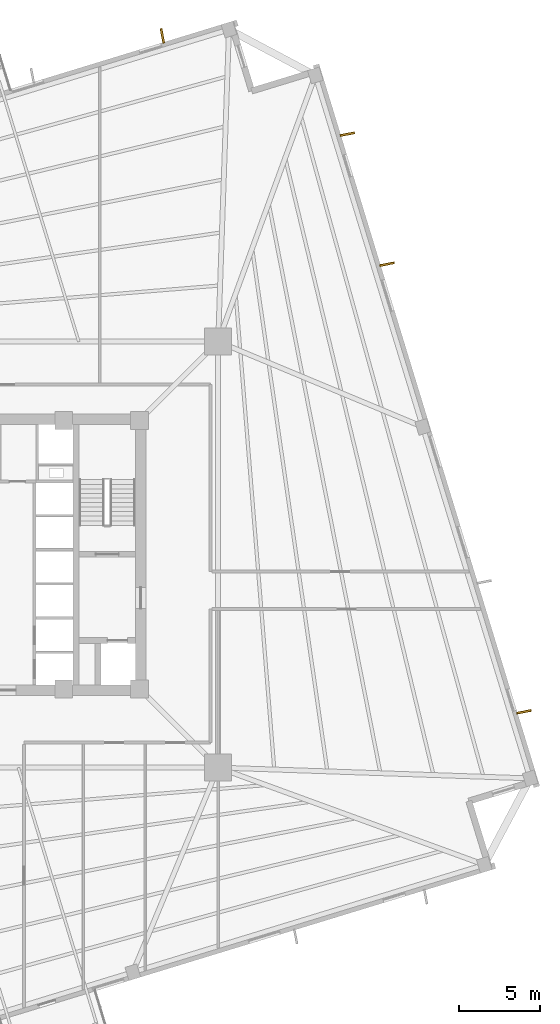
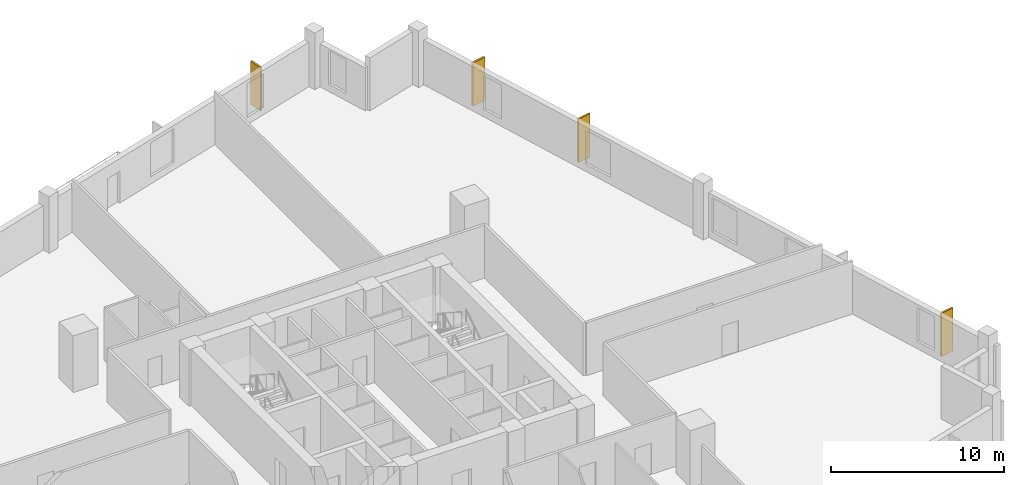
# One storey, part 8 of 8: 4 coverings.
"""IFC4 building model written with IfcOpenShell, lengths in metres."""

from ifc_helpers import new_model, si_unit, direction, frame, origin, origin_2d, place, context, subcontext, project, spatial, rectangle, extrude, source, transform, mapped, material, layer, layer_set, type_object, element, save


model = new_model("IFC4")

# Units and contexts
model_context = context("Model", 3, precision=1e-05, world=origin(), true_north=direction((0.0, 1.0)))
body_context = subcontext(model_context, "Body", "Model", "MODEL_VIEW")
ifc_project = project(units=[si_unit("LENGTHUNIT", "METRE"), si_unit("AREAUNIT", "SQUARE_METRE"), si_unit("VOLUMEUNIT", "CUBIC_METRE"), si_unit("PLANEANGLEUNIT", "RADIAN"), si_unit("MASSUNIT", "GRAM", prefix="KILO"), si_unit("THERMODYNAMICTEMPERATUREUNIT", "KELVIN")], contexts=[model_context])

# Site, building, storey
site_placement = place(None, origin())
site = spatial("IfcSite", under=ifc_project, at=site_placement, CompositionType="ELEMENT")
building_placement = place(site_placement, origin())
building = spatial("IfcBuilding", under=site, at=building_placement, Name="Kosmvard Interchange Tower", CompositionType="ELEMENT")
storey_placement = place(building_placement, frame((0.0, 0.0, 115.199951171875)))
storey = spatial("IfcBuildingStorey", under=building, at=storey_placement, Name="L27", CompositionType="ELEMENT", Elevation=115.199951171875)

# Coverings
ifc_material = material(Name="Architectural anodised aluminium", Category="aluminium")
ifc_layer = layer(ifc_material, 0.1201171875, Name="Architectural anodised aluminium")
ifc_layer_set = layer_set([ifc_layer], Name="Architectural anodised aluminium")
covering_type = type_object("IfcCoveringType", Name="Rotating Vertical Sun-Breaker Fin 900x120 Aluminium", PredefinedType="CLADDING", material=ifc_layer_set)
shared_shape = source(origin(), body_context, "Body", "SweptSolid", [
    extrude(rectangle(XDim=0.89990234375, YDim=0.1201171875, at=origin_2d()), origin(), (0.0, 0.0, 1.0), 3.06005859375),
])
for number, where, z_axis, x_axis, name in (
    (1, (31.865966796875, -9.6572265625, 0.0400390625), (0.0, 0.0, 1.0), (0.981892646112, 0.189438199716, 0.0), "L27 Rotating Vertical Sun-Breaker Fin 05"),
    (2, (23.45849609375, 17.841796875, 0.0400390625), (0.0, 0.0, 1.0), (0.981892646112, 0.189438199716, 0.0), "L27 Rotating Vertical Sun-Breaker Fin 07"),
    (3, (21.017822265625, 25.825439453125, 0.0400390625), (0.0, 0.0, 1.0), (0.981892646112, 0.189438199716, 0.0), "L27 Rotating Vertical Sun-Breaker Fin 08"),
    (4, (9.6572265625, 31.865966796875, 0.0400390625), (0.0, 0.0, 1.0), (-0.189438199716, 0.981892646112, 0.0), "L27 Rotating Vertical Sun-Breaker Fin 09"),
):
    element("IfcCovering", number, at=place(storey_placement, frame(where, z_axis=z_axis, x_axis=x_axis)), inside=storey, type_object=covering_type, Name=name, PredefinedType="CLADDING", context=body_context, shape_type="MappedRepresentation", body=[
        mapped(shared_shape, transform((0.0, 0.0, 0.0), scale=1.0)),
    ])

save(model, "model.ifc")
